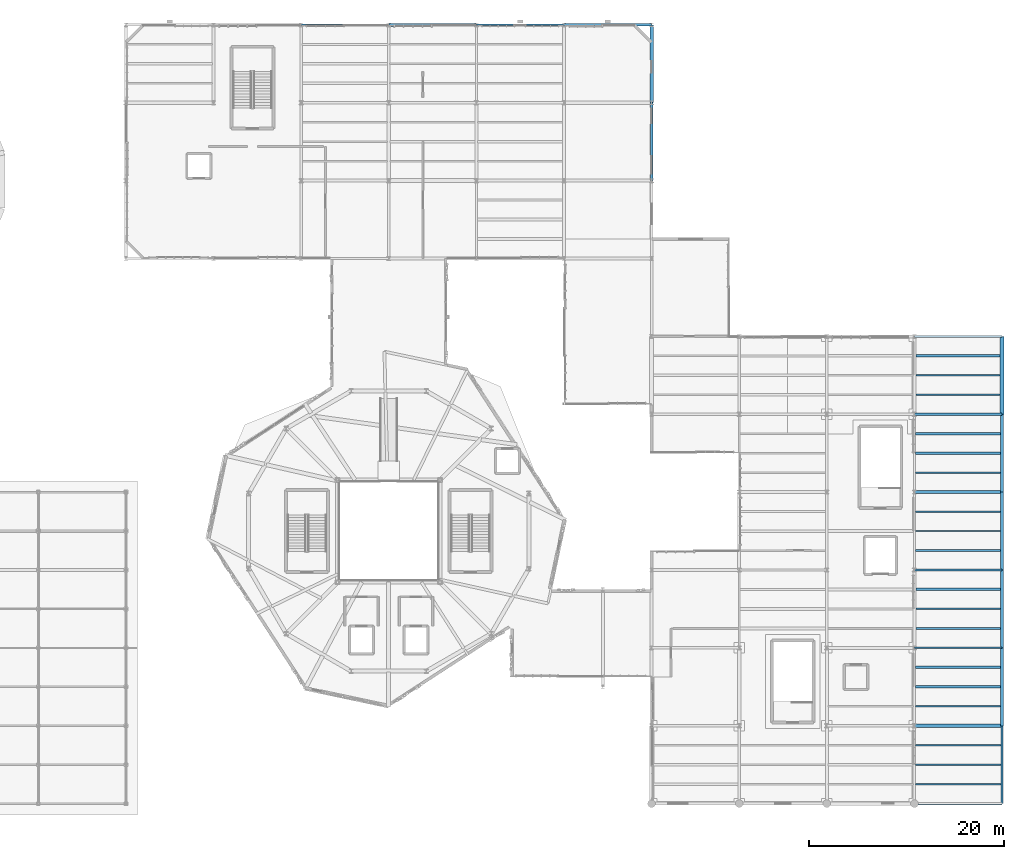
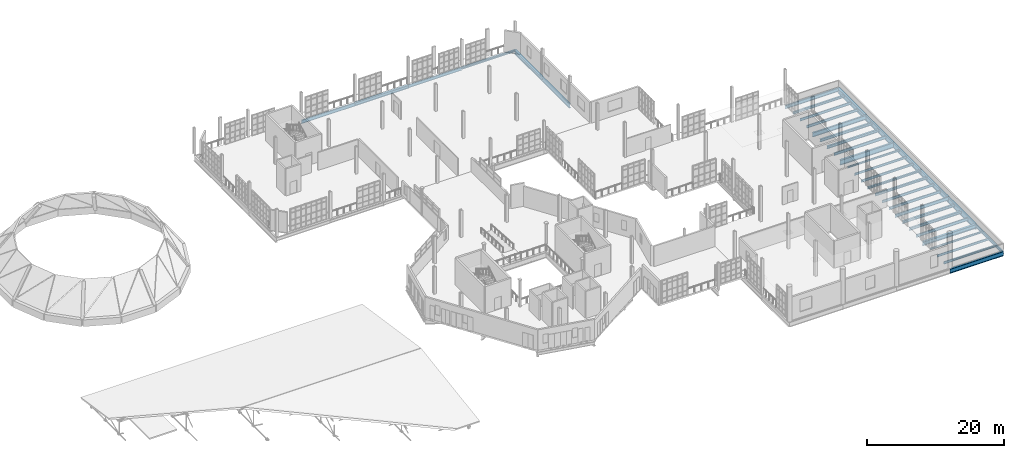
# One storey, part 70 of 118: 37 beams.
"""IFC4 building model written with IfcOpenShell, lengths in metres."""

import ifcopenshell
import ifcopenshell.guid

model = None  # the IFC model being written
_history = None  # IfcOwnerHistory: only IFC2X3 demands one
_inside = {}  # id of a spatial element -> (the spatial element, [elements in it])
_under = {}  # id of a project, library or spatial element -> (it, [spatial elements below it])
_declared = {}  # id of a project -> (the project, [libraries it declares])
_typed = {}  # id of a type object -> (the type object, [elements of that type])
_made_of = {}  # id of a material, layer set ... -> (it, [elements and type objects made of it])


def new_model(schema):
    """Start an empty IFC model of exactly this schema.

    Asked for "IFC4X3", IfcOpenShell would pick the latest addendum, in which some entities
    have other attributes; the version numbers below select the first issue.
    IFC2X3 requires an IfcOwnerHistory on every rooted entity: one is made here for all.
    """
    global model, _history
    if schema == "IFC4X3":
        model = ifcopenshell.file(schema_version=(4, 3, 0, 0))
    else:
        model = ifcopenshell.file(schema=schema)
    _inside.clear()
    _under.clear()
    _declared.clear()
    _typed.clear()
    _made_of.clear()
    _history = None
    if model.schema == "IFC2X3":
        org = make("IfcOrganization", Name="unknown")
        user = make(
            "IfcPersonAndOrganization",
            ThePerson=make("IfcPerson", FamilyName="unknown"),
            TheOrganization=org,
        )
        app = make(
            "IfcApplication",
            ApplicationDeveloper=org,
            Version="unknown",
            ApplicationFullName="unknown",
            ApplicationIdentifier="unknown",
        )
        _history = make(
            "IfcOwnerHistory",
            OwningUser=user,
            OwningApplication=app,
            ChangeAction="ADDED",
            CreationDate=0,
        )
    return model


def make(cls, **values):
    """One entity of the class cls with the attributes given. An attribute that is None is left unset."""
    return model.create_entity(
        cls, **{name: value for name, value in values.items() if value is not None}
    )


def rooted(cls, **values):
    """An entity with a GlobalId (a new one), such as an element, a storey or a relation."""
    return make(cls, GlobalId=ifcopenshell.guid.new(), OwnerHistory=_history, **values)


def si_unit(unit_type, name, prefix=None):
    """IfcSIUnit, for example si_unit("LENGTHUNIT", "METRE", prefix="MILLI")."""
    return make("IfcSIUnit", UnitType=unit_type, Prefix=prefix, Name=name)


def assignment(units):
    """IfcUnitAssignment: the units of a project."""
    return None if units is None else make("IfcUnitAssignment", Units=units)


def point(xyz):
    """IfcCartesianPoint."""
    return None if xyz is None else make("IfcCartesianPoint", Coordinates=xyz)


def direction(xyz):
    """IfcDirection."""
    return None if xyz is None else make("IfcDirection", DirectionRatios=xyz)


def frame(location, z_axis=None, x_axis=None):
    """IfcAxis2Placement3D, a coordinate frame: its origin and axes. An axis left out is left unset."""
    return make(
        "IfcAxis2Placement3D",
        Location=point(location),
        Axis=direction(z_axis),
        RefDirection=direction(x_axis),
    )


def frame_2d(location, x_axis=None):
    """IfcAxis2Placement2D, a coordinate frame in the plane: its origin and x axis."""
    return make(
        "IfcAxis2Placement2D", Location=point(location), RefDirection=direction(x_axis)
    )


def origin():
    """The frame at (0, 0, 0) with its axes left unset."""
    return frame((0.0, 0.0, 0.0))


def origin_2d():
    """The frame at (0, 0) in the plane with its x axis left unset."""
    return frame_2d((0.0, 0.0))


def place(relative_to, where):
    """IfcLocalPlacement: puts the frame where relative to a parent placement (None: the world)."""
    return make(
        "IfcLocalPlacement", PlacementRelTo=relative_to, RelativePlacement=where
    )


def context(
    kind, dimensions, precision=None, world=None, true_north=None, identifier=None
):
    """IfcGeometricRepresentationContext, for example the 3D "Model" context."""
    return make(
        "IfcGeometricRepresentationContext",
        ContextIdentifier=identifier,
        ContextType=kind,
        CoordinateSpaceDimension=dimensions,
        Precision=precision,
        WorldCoordinateSystem=world,
        TrueNorth=true_north,
    )


def subcontext(parent, identifier, kind, view, scale=None):
    """IfcGeometricRepresentationSubContext, for example "Body" below "Model"."""
    return make(
        "IfcGeometricRepresentationSubContext",
        ContextIdentifier=identifier,
        ContextType=kind,
        ParentContext=parent,
        TargetScale=scale,
        TargetView=view,
    )


def project(units=None, contexts=None):
    """IfcProject with its units and contexts."""
    return rooted(
        "IfcProject",
        Name="project",
        RepresentationContexts=contexts,
        UnitsInContext=assignment(units),
    )


def spatial(cls, under=None, at=None, **own):
    """A site, building, storey or space (cls), placed at a placement, below another one or the project."""
    s = rooted(cls, ObjectPlacement=at, **own)
    if under is not None:
        _under.setdefault(under.id(), (under, []))[1].append(s)
    return s


def profile(cls, at=None, kind="AREA", **sizes):
    """A parametric profile (cls). Its sizes go by their IFC names, for example OverallWidth=200.0."""
    return make(cls, ProfileType=kind, Position=at, **sizes)


def i_section(**sizes):
    """IfcIShapeProfileDef."""
    return profile("IfcIShapeProfileDef", **sizes)


def extrude(swept, where, along, depth):
    """IfcExtrudedAreaSolid: the profile swept, set in the frame where, extruded along a direction by depth."""
    return make(
        "IfcExtrudedAreaSolid",
        SweptArea=swept,
        Position=where,
        ExtrudedDirection=direction(along),
        Depth=depth,
    )


def shape(context_of_items, identifier, shape_type, items):
    """IfcShapeRepresentation: the items that make up one representation, for example the "Body"."""
    return make(
        "IfcShapeRepresentation",
        ContextOfItems=context_of_items,
        RepresentationIdentifier=identifier,
        RepresentationType=shape_type,
        Items=items,
    )


def material(Name=None, Category=None):
    """IfcMaterial."""
    return make("IfcMaterial", Name=Name, Category=Category)


def material_profile(
    of_material, cross_section, Name=None, Category=None, Priority=None
):
    """IfcMaterialProfile: a cross section and its material."""
    return make(
        "IfcMaterialProfile",
        Name=Name,
        Material=of_material,
        Profile=cross_section,
        Priority=Priority,
        Category=Category,
    )


def profile_set(profiles, Name=None, composite=None):
    """IfcMaterialProfileSet."""
    return make(
        "IfcMaterialProfileSet",
        Name=Name,
        MaterialProfiles=profiles,
        CompositeProfile=composite,
    )


def made_of(thing, what):
    """Note that an element or type object is made of a material, layer set ...; save() writes the relation."""
    if what is not None:
        _made_of.setdefault(what.id(), (what, []))[1].append(thing)
    return thing


def type_object(cls, material=None, **own):
    """A type object (cls), such as IfcWallType, which elements share."""
    return made_of(rooted(cls, **own), material)


def element(
    cls,
    number,
    at=None,
    inside=None,
    cuts=None,
    type_object=None,
    material=None,
    context=None,
    identifier="Body",
    shape_type=None,
    held_by="IfcProductDefinitionShape",
    body=None,
    shapes=None,
    **own,
):
    """One element of the class cls, such as IfcWall. Its Tag is "e" and its number.

    at: its placement. inside: the storey or other place that contains it. cuts: it is an
    opening in that element (IfcRelVoidsElement). A single representation is given by context,
    identifier, shape_type and body (its items); several are given by shapes. held_by: the class
    of the entity that holds the representations. save() writes the other relations.
    """
    e = rooted(cls, Tag="e%d" % number, ObjectPlacement=at, **own)
    if body is not None:
        shapes = [shape(context, identifier, shape_type, body)]
    if shapes is not None:
        e.Representation = make(held_by, Representations=shapes)
    if inside is not None:
        _inside.setdefault(inside.id(), (inside, []))[1].append(e)
    if cuts is not None:
        rooted(
            "IfcRelVoidsElement", RelatingBuildingElement=cuts, RelatedOpeningElement=e
        )
    if type_object is not None:
        _typed.setdefault(type_object.id(), (type_object, []))[1].append(e)
    return made_of(e, material)


def aggregate(whole, parts):
    """IfcRelAggregates: a whole, such as a stair, and the parts it consists of."""
    return rooted("IfcRelAggregates", RelatingObject=whole, RelatedObjects=parts)


def save(model, path):
    """Write the relations noted so far, then the file.

    IfcRelAggregates (storeys below a building ...), IfcRelContainedInSpatialStructure (elements
    in a storey), IfcRelDefinesByType, IfcRelAssociatesMaterial and IfcRelDeclares: one each for
    every whole, place, type object, material and project.
    """
    for whole, parts in _under.values():
        aggregate(whole, parts)
    for where, things in _inside.values():
        rooted(
            "IfcRelContainedInSpatialStructure",
            RelatedElements=things,
            RelatingStructure=where,
        )
    for kind, things in _typed.values():
        rooted("IfcRelDefinesByType", RelatedObjects=things, RelatingType=kind)
    for what, things in _made_of.values():
        rooted("IfcRelAssociatesMaterial", RelatedObjects=things, RelatingMaterial=what)
    for by, libraries in _declared.values():
        rooted("IfcRelDeclares", RelatingContext=by, RelatedDefinitions=libraries)
    model.write(path)


model = new_model("IFC4")

# Units and contexts
model_context = context("Model", 3, precision=1e-05, world=origin(), true_north=direction((0.0, 1.0)))
body_context = subcontext(model_context, "Body", "Model", "MODEL_VIEW")
ifc_project = project(units=[si_unit("LENGTHUNIT", "METRE"), si_unit("AREAUNIT", "SQUARE_METRE"), si_unit("VOLUMEUNIT", "CUBIC_METRE"), si_unit("PLANEANGLEUNIT", "RADIAN"), si_unit("MASSUNIT", "GRAM", prefix="KILO"), si_unit("THERMODYNAMICTEMPERATUREUNIT", "KELVIN"), si_unit("POWERUNIT", "WATT")], contexts=[model_context])

# Site, building, storey
site_placement = place(None, origin())
site = spatial("IfcSite", under=ifc_project, at=site_placement, CompositionType="ELEMENT")
building_placement = place(site_placement, origin())
building = spatial("IfcBuilding", under=site, at=building_placement, Name="Zelmaris Science Centre", CompositionType="ELEMENT")
storey_placement = place(building_placement, frame((0.0, 0.0, 15.60009765625)))
storey = spatial("IfcBuildingStorey", under=building, at=storey_placement, Name="L03", CompositionType="ELEMENT", Elevation=15.60009765625)

# Beams
ifc_material = material(Name="Steel ASTM A992 Grade 50", Category="steel")
ifc_material_profile_1 = material_profile(ifc_material, i_section(OverallWidth=0.304931640625, OverallDepth=0.9140625, WebThickness=0.0166015625, FlangeThickness=0.02587890625, FilletRadius=0.02392578125, at=origin_2d()), Name="W36X160")
ifc_profile_set_1 = profile_set([ifc_material_profile_1], Name="Steel ASTM A992 Grade 50")
beam_type_1 = type_object("IfcBeamType", Name="Beam G-04 W36X160", PredefinedType="BEAM", material=ifc_profile_set_1)
beam_1_placement = place(storey_placement, frame((135.0, 40.0, -0.717041015625), z_axis=(1.0, 0.0, 0.0), x_axis=(0.0, 1.0, 0.0)))
element("IfcBeam", 1, at=beam_1_placement, inside=storey, type_object=beam_type_1, Name="L03 East-west girder 745", PredefinedType="BEAM", context=body_context, shape_type="SweptSolid", body=[
    extrude(i_section(OverallWidth=0.304931640625, OverallDepth=0.9140625, WebThickness=0.0166015625, FlangeThickness=0.02587890625, FilletRadius=0.02392578125, at=origin_2d()), origin(), (0.0, 0.0, 1.0), 9.0),
])
ifc_material_profile_2 = material_profile(ifc_material, i_section(OverallWidth=0.26708984375, OverallDepth=0.757080078125, WebThickness=0.013916015625, FlangeThickness=0.019287109375, FilletRadius=0.01904296875, at=origin_2d()), Name="W30X108")
ifc_profile_set_2 = profile_set([ifc_material_profile_2], Name="Steel ASTM A992 Grade 50")
beam_type_2 = type_object("IfcBeamType", Name="Beam G-10 W30X108", PredefinedType="BEAM", material=ifc_profile_set_2)
beam_2_placement = place(storey_placement, frame((135.0, 48.0, -0.638671875), z_axis=(1.0, 0.0, 0.0), x_axis=(0.0, 1.0, 0.0)))
element("IfcBeam", 2, at=beam_2_placement, inside=storey, type_object=beam_type_2, Name="L03 East-west girder 749", PredefinedType="BEAM", context=body_context, shape_type="SweptSolid", body=[
    extrude(i_section(OverallWidth=0.26708984375, OverallDepth=0.757080078125, WebThickness=0.013916015625, FlangeThickness=0.019287109375, FilletRadius=0.01904296875, at=origin_2d()), origin(), (0.0, 0.0, 1.0), 9.0),
])
ifc_material_profile_3 = material_profile(ifc_material, i_section(OverallWidth=0.22900390625, OverallDepth=0.612060546875, WebThickness=0.011962890625, FlangeThickness=0.01953125, FilletRadius=0.014892578125, at=origin_2d()), Name="W24X84")
ifc_profile_set_3 = profile_set([ifc_material_profile_3], Name="Steel ASTM A992 Grade 50")
beam_type_3 = type_object("IfcBeamType", Name="Beam G-16 W24X84", PredefinedType="BEAM", material=ifc_profile_set_3)
beam_3_placement = place(storey_placement, frame((135.0, 56.0, -0.566162109375), z_axis=(1.0, 0.0, 0.0), x_axis=(0.0, 1.0, 0.0)))
element("IfcBeam", 3, at=beam_3_placement, inside=storey, type_object=beam_type_3, Name="L03 East-west girder 753", PredefinedType="BEAM", context=body_context, shape_type="SweptSolid", body=[
    extrude(i_section(OverallWidth=0.22900390625, OverallDepth=0.612060546875, WebThickness=0.011962890625, FlangeThickness=0.01953125, FilletRadius=0.014892578125, at=origin_2d()), origin(), (0.0, 0.0, 1.0), 9.0),
])
ifc_material_profile_4 = material_profile(ifc_material, i_section(OverallWidth=0.2109375, OverallDepth=0.5380859375, WebThickness=0.01171875, FlangeThickness=0.018798828125, FilletRadius=0.013916015625, at=origin_2d()), Name="W21X73")
ifc_profile_set_4 = profile_set([ifc_material_profile_4], Name="Steel ASTM A992 Grade 50")
beam_type_4 = type_object("IfcBeamType", Name="Beam G-19 W21X73", PredefinedType="BEAM", material=ifc_profile_set_4)
beam_4_placement = place(storey_placement, frame((144.0, 8.0, -0.529052734375), z_axis=(0.0, 1.0, 0.0), x_axis=(-1.0, 0.0, 0.0)))
element("IfcBeam", 4, at=beam_4_placement, inside=storey, type_object=beam_type_4, Name="L03 North-south girder 725", PredefinedType="BEAM", context=body_context, shape_type="SweptSolid", body=[
    extrude(i_section(OverallWidth=0.2109375, OverallDepth=0.5380859375, WebThickness=0.01171875, FlangeThickness=0.018798828125, FilletRadius=0.013916015625, at=origin_2d()), origin(), (0.0, 0.0, 1.0), 8.0),
])
ifc_material_profile_5 = material_profile(ifc_material, i_section(OverallWidth=0.300048828125, OverallDepth=0.990966796875, WebThickness=0.0166015625, FlangeThickness=0.030517578125, FilletRadius=0.02490234375, at=origin_2d()), Name="W40X183")
ifc_profile_set_5 = profile_set([ifc_material_profile_5], Name="Steel ASTM A992 Grade 50")
beam_type_5 = type_object("IfcBeamType", Name="Beam G-24 W40X183", PredefinedType="BEAM", material=ifc_profile_set_5)
beam_5_placement = place(storey_placement, frame((144.0, 16.0, -0.755615234375), z_axis=(0.0, 1.0, 0.0), x_axis=(-1.0, 0.0, 0.0)))
element("IfcBeam", 5, at=beam_5_placement, inside=storey, type_object=beam_type_5, Name="L03 North-south girder 726", PredefinedType="BEAM", context=body_context, shape_type="SweptSolid", body=[
    extrude(i_section(OverallWidth=0.300048828125, OverallDepth=0.990966796875, WebThickness=0.0166015625, FlangeThickness=0.030517578125, FilletRadius=0.02490234375, at=origin_2d()), origin(), (0.0, 0.0, 1.0), 8.0),
])
ifc_material_profile_6 = material_profile(ifc_material, i_section(OverallWidth=0.31005859375, OverallDepth=0.931884765625, WebThickness=0.02099609375, FlangeThickness=0.034423828125, FilletRadius=0.02392578125, at=origin_2d()), Name="W36X210")
ifc_profile_set_6 = profile_set([ifc_material_profile_6], Name="Steel ASTM A992 Grade 50")
beam_type_6 = type_object("IfcBeamType", Name="Beam G-25 W36X210", PredefinedType="BEAM", material=ifc_profile_set_6)
beam_6_placement = place(storey_placement, frame((144.0, 24.0, -0.72607421875), z_axis=(0.0, 1.0, 0.0), x_axis=(-1.0, 0.0, 0.0)))
element("IfcBeam", 6, at=beam_6_placement, inside=storey, type_object=beam_type_6, Name="L03 North-south girder 727", PredefinedType="BEAM", context=body_context, shape_type="SweptSolid", body=[
    extrude(i_section(OverallWidth=0.31005859375, OverallDepth=0.931884765625, WebThickness=0.02099609375, FlangeThickness=0.034423828125, FilletRadius=0.02392578125, at=origin_2d()), origin(), (0.0, 0.0, 1.0), 8.0),
])
ifc_material_profile_7 = material_profile(ifc_material, i_section(OverallWidth=0.304931640625, OverallDepth=0.9189453125, WebThickness=0.017333984375, FlangeThickness=0.02783203125, FilletRadius=0.02392578125, at=origin_2d()), Name="W36X170")
ifc_profile_set_7 = profile_set([ifc_material_profile_7], Name="Steel ASTM A992 Grade 50")
beam_type_7 = type_object("IfcBeamType", Name="Beam G-26 W36X170", PredefinedType="BEAM", material=ifc_profile_set_7)
beam_7_placement = place(storey_placement, frame((144.0, 32.0, -0.719482421875), z_axis=(0.0, 1.0, 0.0), x_axis=(-1.0, 0.0, 0.0)))
element("IfcBeam", 7, at=beam_7_placement, inside=storey, type_object=beam_type_7, Name="L03 North-south girder 728", PredefinedType="BEAM", context=body_context, shape_type="SweptSolid", body=[
    extrude(i_section(OverallWidth=0.304931640625, OverallDepth=0.9189453125, WebThickness=0.017333984375, FlangeThickness=0.02783203125, FilletRadius=0.02392578125, at=origin_2d()), origin(), (0.0, 0.0, 1.0), 8.0),
])
ifc_material_profile_8 = material_profile(ifc_material, i_section(OverallWidth=0.304931640625, OverallDepth=0.912109375, WebThickness=0.015869140625, FlangeThickness=0.02392578125, FilletRadius=0.02392578125, at=origin_2d()), Name="W36X150")
ifc_profile_set_8 = profile_set([ifc_material_profile_8], Name="Steel ASTM A992 Grade 50")
beam_type_8 = type_object("IfcBeamType", Name="Beam G-27 W36X150", PredefinedType="BEAM", material=ifc_profile_set_8)
beam_8_placement = place(storey_placement, frame((144.0, 40.0, -0.716064453125), z_axis=(0.0, 1.0, 0.0), x_axis=(-1.0, 0.0, 0.0)))
element("IfcBeam", 8, at=beam_8_placement, inside=storey, type_object=beam_type_8, Name="L03 North-south girder 729", PredefinedType="BEAM", context=body_context, shape_type="SweptSolid", body=[
    extrude(i_section(OverallWidth=0.304931640625, OverallDepth=0.912109375, WebThickness=0.015869140625, FlangeThickness=0.02392578125, FilletRadius=0.02392578125, at=origin_2d()), origin(), (0.0, 0.0, 1.0), 8.0),
])
ifc_material_profile_9 = material_profile(ifc_material, i_section(OverallWidth=0.404052734375, OverallDepth=0.861083984375, WebThickness=0.019775390625, FlangeThickness=0.032470703125, FilletRadius=0.02001953125, at=origin_2d()), Name="W33X221")
ifc_profile_set_9 = profile_set([ifc_material_profile_9], Name="Steel ASTM A992 Grade 50")
beam_type_9 = type_object("IfcBeamType", Name="Beam G-28 W33X221", PredefinedType="BEAM", material=ifc_profile_set_9)
beam_9_placement = place(storey_placement, frame((144.0, 48.0, -0.690673828125), z_axis=(0.0, 1.0, 0.0), x_axis=(-1.0, 0.0, 0.0)))
element("IfcBeam", 9, at=beam_9_placement, inside=storey, type_object=beam_type_9, Name="L03 North-south girder 730", PredefinedType="BEAM", context=body_context, shape_type="SweptSolid", body=[
    extrude(i_section(OverallWidth=0.404052734375, OverallDepth=0.861083984375, WebThickness=0.019775390625, FlangeThickness=0.032470703125, FilletRadius=0.02001953125, at=origin_2d()), origin(), (0.0, 0.0, 1.0), 8.0),
])
ifc_material_profile_10 = material_profile(ifc_material, i_section(OverallWidth=0.26708984375, OverallDepth=0.780029296875, WebThickness=0.0166015625, FlangeThickness=0.030029296875, FilletRadius=0.01904296875, at=origin_2d()), Name="W30X148")
ifc_profile_set_10 = profile_set([ifc_material_profile_10], Name="Steel ASTM A992 Grade 50")
beam_type_10 = type_object("IfcBeamType", Name="Beam G-32 W30X148", PredefinedType="BEAM", material=ifc_profile_set_10)
beam_10_placement = place(storey_placement, frame((135.0, 8.0, -0.650146484375), z_axis=(1.0, 0.0, 0.0), x_axis=(0.0, 1.0, 0.0)))
element("IfcBeam", 10, at=beam_10_placement, inside=storey, type_object=beam_type_10, Name="L03 East-west girder 734", PredefinedType="BEAM", context=body_context, shape_type="SweptSolid", body=[
    extrude(i_section(OverallWidth=0.26708984375, OverallDepth=0.780029296875, WebThickness=0.0166015625, FlangeThickness=0.030029296875, FilletRadius=0.01904296875, at=origin_2d()), origin(), (0.0, 0.0, 1.0), 9.0),
])
ifc_material_profile_11 = material_profile(ifc_material, i_section(OverallWidth=0.26708984375, OverallDepth=0.75390625, WebThickness=0.01318359375, FlangeThickness=0.01708984375, FilletRadius=0.01904296875, at=origin_2d()), Name="W30X99")
ifc_profile_set_11 = profile_set([ifc_material_profile_11], Name="Steel ASTM A992 Grade 50")
beam_type_11 = type_object("IfcBeamType", Name="Beam G-34 W30X99", PredefinedType="BEAM", material=ifc_profile_set_11)
beam_11_placement = place(storey_placement, frame((108.0, 72.0, -0.63720703125), z_axis=(0.0, 1.0, 0.0), x_axis=(-1.0, 0.0, 0.0)))
element("IfcBeam", 11, at=beam_11_placement, inside=storey, type_object=beam_type_11, Name="L03 North-south girder 705", PredefinedType="BEAM", context=body_context, shape_type="SweptSolid", body=[
    extrude(i_section(OverallWidth=0.26708984375, OverallDepth=0.75390625, WebThickness=0.01318359375, FlangeThickness=0.01708984375, FilletRadius=0.01904296875, at=origin_2d()), origin(), (0.0, 0.0, 1.0), 8.0),
])
ifc_material_profile_12 = material_profile(ifc_material, i_section(OverallWidth=0.35595703125, OverallDepth=0.700927734375, WebThickness=0.016845703125, FlangeThickness=0.02734375, FilletRadius=0.01806640625, at=origin_2d()), Name="W27X161")
ifc_profile_set_12 = profile_set([ifc_material_profile_12], Name="Steel ASTM A992 Grade 50")
beam_type_12 = type_object("IfcBeamType", Name="Beam G-35 W27X161", PredefinedType="BEAM", material=ifc_profile_set_12)
beam_12_placement = place(storey_placement, frame((108.0, 80.0, -0.610595703125), z_axis=(0.0, 1.0, 0.0), x_axis=(-1.0, 0.0, 0.0)))
element("IfcBeam", 12, at=beam_12_placement, inside=storey, type_object=beam_type_12, Name="L03 North-south girder 706", PredefinedType="BEAM", context=body_context, shape_type="SweptSolid", body=[
    extrude(i_section(OverallWidth=0.35595703125, OverallDepth=0.700927734375, WebThickness=0.016845703125, FlangeThickness=0.02734375, FilletRadius=0.01806640625, at=origin_2d()), origin(), (0.0, 0.0, 1.0), 8.0),
])
beam_13_placement = place(storey_placement, frame((135.0, 16.0, -0.610595703125), z_axis=(1.0, 0.0, 0.0), x_axis=(0.0, 1.0, 0.0)))
element("IfcBeam", 13, at=beam_13_placement, inside=storey, type_object=beam_type_12, Name="L03 East-west girder 737", PredefinedType="BEAM", context=body_context, shape_type="SweptSolid", body=[
    extrude(i_section(OverallWidth=0.35595703125, OverallDepth=0.700927734375, WebThickness=0.016845703125, FlangeThickness=0.02734375, FilletRadius=0.01806640625, at=origin_2d()), origin(), (0.0, 0.0, 1.0), 9.0),
])
ifc_material_profile_13 = material_profile(ifc_material, i_section(OverallWidth=0.177978515625, OverallDepth=0.59912109375, WebThickness=0.010009765625, FlangeThickness=0.0126953125, FilletRadius=0.014892578125, at=origin_2d()), Name="W24X55")
ifc_profile_set_13 = profile_set([ifc_material_profile_13], Name="Steel ASTM A992 Grade 50")
beam_type_13 = type_object("IfcBeamType", Name="Beam G-38 W24X55", PredefinedType="BEAM", material=ifc_profile_set_13)
for number, where, z_axis, x_axis, name in (
    (14, (135.0, 24.0, -0.5595703125), (1.0, 0.0, 0.0), (0.0, 1.0, 0.0), "L03 East-west girder 740"),
    (15, (72.0, 88.0, -0.5595703125), (1.0, 0.0, 0.0), (0.0, 1.0, 0.0), "L03 East-west girder 771"),
):
    element("IfcBeam", number, at=place(storey_placement, frame(where, z_axis=z_axis, x_axis=x_axis)), inside=storey, type_object=beam_type_13, Name=name, PredefinedType="BEAM", context=body_context, shape_type="SweptSolid", body=[
        extrude(i_section(OverallWidth=0.177978515625, OverallDepth=0.59912109375, WebThickness=0.010009765625, FlangeThickness=0.0126953125, FilletRadius=0.014892578125, at=origin_2d()), origin(), (0.0, 0.0, 1.0), 9.0),
    ])
ifc_material_profile_14 = material_profile(ifc_material, i_section(OverallWidth=0.31201171875, OverallDepth=0.5458984375, WebThickness=0.013916015625, FlangeThickness=0.022216796875, FilletRadius=0.013916015625, at=origin_2d()), Name="W21X111")
ifc_profile_set_14 = profile_set([ifc_material_profile_14], Name="Steel ASTM A992 Grade 50")
beam_type_14 = type_object("IfcBeamType", Name="Beam G-39 W21X111", PredefinedType="BEAM", material=ifc_profile_set_14)
beam_14_placement = place(storey_placement, frame((81.0, 88.0, -0.533203125), z_axis=(1.0, 0.0, 0.0), x_axis=(0.0, 1.0, 0.0)))
element("IfcBeam", 16, at=beam_14_placement, inside=storey, type_object=beam_type_14, Name="L03 East-west girder 772", PredefinedType="BEAM", context=body_context, shape_type="SweptSolid", body=[
    extrude(i_section(OverallWidth=0.31201171875, OverallDepth=0.5458984375, WebThickness=0.013916015625, FlangeThickness=0.022216796875, FilletRadius=0.013916015625, at=origin_2d()), origin(), (0.0, 0.0, 1.0), 9.0),
])
ifc_material_profile_15 = material_profile(ifc_material, i_section(OverallWidth=0.1650390625, OverallDepth=0.52587890625, WebThickness=0.0087890625, FlangeThickness=0.011474609375, FilletRadius=0.013916015625, at=origin_2d()), Name="W21X44")
ifc_profile_set_15 = profile_set([ifc_material_profile_15], Name="Steel ASTM A992 Grade 50")
beam_type_15 = type_object("IfcBeamType", Name="Beam G-40 W21X44", PredefinedType="BEAM", material=ifc_profile_set_15)
beam_15_placement = place(storey_placement, frame((90.0, 88.0, -0.523193359375), z_axis=(1.0, 0.0, 0.0), x_axis=(0.0, 1.0, 0.0)))
element("IfcBeam", 17, at=beam_15_placement, inside=storey, type_object=beam_type_15, Name="L03 East-west girder 773", PredefinedType="BEAM", context=body_context, shape_type="SweptSolid", body=[
    extrude(i_section(OverallWidth=0.1650390625, OverallDepth=0.52587890625, WebThickness=0.0087890625, FlangeThickness=0.011474609375, FilletRadius=0.013916015625, at=origin_2d()), origin(), (0.0, 0.0, 1.0), 9.0),
])
ifc_material_profile_16 = material_profile(ifc_material, i_section(OverallWidth=0.25390625, OverallDepth=0.35595703125, WebThickness=0.010498046875, FlangeThickness=0.018310546875, FilletRadius=0.014892578125, at=origin_2d()), Name="W14X68")
ifc_profile_set_16 = profile_set([ifc_material_profile_16], Name="Steel ASTM A992 Grade 50")
beam_type_16 = type_object("IfcBeamType", Name="Beam G-41 W14X68", PredefinedType="BEAM", material=ifc_profile_set_16)
for number, where, z_axis, x_axis, name in (
    (18, (135.0, 32.0, -0.43798828125), (1.0, 0.0, 0.0), (0.0, 1.0, 0.0), "L03 East-west girder 743"),
    (19, (99.0, 88.0, -0.43798828125), (1.0, 0.0, 0.0), (0.0, 1.0, 0.0), "L03 East-west girder 774"),
):
    element("IfcBeam", number, at=place(storey_placement, frame(where, z_axis=z_axis, x_axis=x_axis)), inside=storey, type_object=beam_type_16, Name=name, PredefinedType="BEAM", context=body_context, shape_type="SweptSolid", body=[
        extrude(i_section(OverallWidth=0.25390625, OverallDepth=0.35595703125, WebThickness=0.010498046875, FlangeThickness=0.018310546875, FilletRadius=0.014892578125, at=origin_2d()), origin(), (0.0, 0.0, 1.0), 9.0),
    ])
ifc_material_profile_17 = material_profile(ifc_material, i_section(OverallWidth=0.16796875, OverallDepth=0.532958984375, WebThickness=0.01025390625, FlangeThickness=0.0166015625, FilletRadius=0.013916015625, at=origin_2d()), Name="W21X57")
ifc_profile_set_17 = profile_set([ifc_material_profile_17], Name="Steel ASTM A992 Grade 50")
beam_type_17 = type_object("IfcBeamType", Name="Beam J-01 W21X57", PredefinedType="JOIST", material=ifc_profile_set_17)
beam_16_placement = place(storey_placement, frame((135.112060546875, 18.0, -0.526611328125), z_axis=(1.0, 0.0, 0.0), x_axis=(0.0, 1.0, 0.0)))
element("IfcBeam", 20, at=beam_16_placement, inside=storey, type_object=beam_type_17, Name="L03 Composite floor joist 378", PredefinedType="JOIST", context=body_context, shape_type="SweptSolid", body=[
    extrude(i_section(OverallWidth=0.16796875, OverallDepth=0.532958984375, WebThickness=0.01025390625, FlangeThickness=0.0166015625, FilletRadius=0.013916015625, at=origin_2d()), origin(), (0.0, 0.0, 1.0), 8.7529296875),
])
beam_17_placement = place(storey_placement, frame((135.099609375, 42.0, -0.526611328125), z_axis=(1.0, 0.0, 0.0), x_axis=(0.0, 1.0, 0.0)))
element("IfcBeam", 21, at=beam_17_placement, inside=storey, type_object=beam_type_17, Name="L03 Composite floor joist 387", PredefinedType="JOIST", context=body_context, shape_type="SweptSolid", body=[
    extrude(i_section(OverallWidth=0.16796875, OverallDepth=0.532958984375, WebThickness=0.01025390625, FlangeThickness=0.0166015625, FilletRadius=0.013916015625, at=origin_2d()), origin(), (0.0, 0.0, 1.0), 8.762939453125),
])
ifc_material_profile_18 = material_profile(ifc_material, i_section(OverallWidth=0.281982421875, OverallDepth=0.471923828125, WebThickness=0.013671875, FlangeThickness=0.022216796875, FilletRadius=0.012939453125, at=origin_2d()), Name="W18X97")
ifc_profile_set_18 = profile_set([ifc_material_profile_18], Name="Steel ASTM A992 Grade 50")
beam_type_18 = type_object("IfcBeamType", Name="Beam J-02 W18X97", PredefinedType="JOIST", material=ifc_profile_set_18)
beam_18_placement = place(storey_placement, frame((135.112060546875, 20.0, -0.49609375), z_axis=(1.0, 0.0, 0.0), x_axis=(0.0, 1.0, 0.0)))
element("IfcBeam", 22, at=beam_18_placement, inside=storey, type_object=beam_type_18, Name="L03 Composite floor joist 379", PredefinedType="JOIST", context=body_context, shape_type="SweptSolid", body=[
    extrude(i_section(OverallWidth=0.281982421875, OverallDepth=0.471923828125, WebThickness=0.013671875, FlangeThickness=0.022216796875, FilletRadius=0.012939453125, at=origin_2d()), origin(), (0.0, 0.0, 1.0), 8.7529296875),
])
beam_19_placement = place(storey_placement, frame((135.099609375, 44.0, -0.49609375), z_axis=(1.0, 0.0, 0.0), x_axis=(0.0, 1.0, 0.0)))
element("IfcBeam", 23, at=beam_19_placement, inside=storey, type_object=beam_type_18, Name="L03 Composite floor joist 388", PredefinedType="JOIST", context=body_context, shape_type="SweptSolid", body=[
    extrude(i_section(OverallWidth=0.281982421875, OverallDepth=0.471923828125, WebThickness=0.013671875, FlangeThickness=0.022216796875, FilletRadius=0.012939453125, at=origin_2d()), origin(), (0.0, 0.0, 1.0), 8.762939453125),
])
ifc_material_profile_19 = material_profile(ifc_material, i_section(OverallWidth=0.279052734375, OverallDepth=0.4619140625, WebThickness=0.0107421875, FlangeThickness=0.017333984375, FilletRadius=0.012939453125, at=origin_2d()), Name="W18X76")
ifc_profile_set_19 = profile_set([ifc_material_profile_19], Name="Steel ASTM A992 Grade 50")
beam_type_19 = type_object("IfcBeamType", Name="Beam J-03 W18X76", PredefinedType="JOIST", material=ifc_profile_set_19)
beam_20_placement = place(storey_placement, frame((135.112060546875, 22.0, -0.4912109375), z_axis=(1.0, 0.0, 0.0), x_axis=(0.0, 1.0, 0.0)))
element("IfcBeam", 24, at=beam_20_placement, inside=storey, type_object=beam_type_19, Name="L03 Composite floor joist 380", PredefinedType="JOIST", context=body_context, shape_type="SweptSolid", body=[
    extrude(i_section(OverallWidth=0.279052734375, OverallDepth=0.4619140625, WebThickness=0.0107421875, FlangeThickness=0.017333984375, FilletRadius=0.012939453125, at=origin_2d()), origin(), (0.0, 0.0, 1.0), 8.7529296875),
])
beam_21_placement = place(storey_placement, frame((135.099609375, 46.0, -0.4912109375), z_axis=(1.0, 0.0, 0.0), x_axis=(0.0, 1.0, 0.0)))
element("IfcBeam", 25, at=beam_21_placement, inside=storey, type_object=beam_type_19, Name="L03 Composite floor joist 389", PredefinedType="JOIST", context=body_context, shape_type="SweptSolid", body=[
    extrude(i_section(OverallWidth=0.279052734375, OverallDepth=0.4619140625, WebThickness=0.0107421875, FlangeThickness=0.017333984375, FilletRadius=0.012939453125, at=origin_2d()), origin(), (0.0, 0.0, 1.0), 8.762939453125),
])
ifc_material_profile_20 = material_profile(ifc_material, i_section(OverallWidth=0.19091796875, OverallDepth=0.4599609375, WebThickness=0.010009765625, FlangeThickness=0.01611328125, FilletRadius=0.012939453125, at=origin_2d()), Name="W18X55")
ifc_profile_set_20 = profile_set([ifc_material_profile_20], Name="Steel ASTM A992 Grade 50")
beam_type_20 = type_object("IfcBeamType", Name="Beam J-04 W18X55", PredefinedType="JOIST", material=ifc_profile_set_20)
beam_22_placement = place(storey_placement, frame((135.1474609375, 26.0, -0.489990234375), z_axis=(1.0, 0.0, 0.0), x_axis=(0.0, 1.0, 0.0)))
element("IfcBeam", 26, at=beam_22_placement, inside=storey, type_object=beam_type_20, Name="L03 Composite floor joist 381", PredefinedType="JOIST", context=body_context, shape_type="SweptSolid", body=[
    extrude(i_section(OverallWidth=0.19091796875, OverallDepth=0.4599609375, WebThickness=0.010009765625, FlangeThickness=0.01611328125, FilletRadius=0.012939453125, at=origin_2d()), origin(), (0.0, 0.0, 1.0), 8.712646484375),
])
beam_23_placement = place(storey_placement, frame((135.14111328125, 50.0, -0.489990234375), z_axis=(1.0, 0.0, 0.0), x_axis=(0.0, 1.0, 0.0)))
element("IfcBeam", 27, at=beam_23_placement, inside=storey, type_object=beam_type_20, Name="L03 Composite floor joist 390", PredefinedType="JOIST", context=body_context, shape_type="SweptSolid", body=[
    extrude(i_section(OverallWidth=0.19091796875, OverallDepth=0.4599609375, WebThickness=0.010009765625, FlangeThickness=0.01611328125, FilletRadius=0.012939453125, at=origin_2d()), origin(), (0.0, 0.0, 1.0), 8.671875),
])
ifc_material_profile_21 = material_profile(ifc_material, i_section(OverallWidth=0.152099609375, OverallDepth=0.455078125, WebThickness=0.008056640625, FlangeThickness=0.01318359375, FilletRadius=0.012939453125, at=origin_2d()), Name="W18X40")
ifc_profile_set_21 = profile_set([ifc_material_profile_21], Name="Steel ASTM A992 Grade 50")
beam_type_21 = type_object("IfcBeamType", Name="Beam J-05 W18X40", PredefinedType="JOIST", material=ifc_profile_set_21)
beam_24_placement = place(storey_placement, frame((135.1474609375, 28.0, -0.487548828125), z_axis=(1.0, 0.0, 0.0), x_axis=(0.0, 1.0, 0.0)))
element("IfcBeam", 28, at=beam_24_placement, inside=storey, type_object=beam_type_21, Name="L03 Composite floor joist 382", PredefinedType="JOIST", context=body_context, shape_type="SweptSolid", body=[
    extrude(i_section(OverallWidth=0.152099609375, OverallDepth=0.455078125, WebThickness=0.008056640625, FlangeThickness=0.01318359375, FilletRadius=0.012939453125, at=origin_2d()), origin(), (0.0, 0.0, 1.0), 8.712646484375),
])
beam_25_placement = place(storey_placement, frame((135.14111328125, 52.0, -0.487548828125), z_axis=(1.0, 0.0, 0.0), x_axis=(0.0, 1.0, 0.0)))
element("IfcBeam", 29, at=beam_25_placement, inside=storey, type_object=beam_type_21, Name="L03 Composite floor joist 391", PredefinedType="JOIST", context=body_context, shape_type="SweptSolid", body=[
    extrude(i_section(OverallWidth=0.152099609375, OverallDepth=0.455078125, WebThickness=0.008056640625, FlangeThickness=0.01318359375, FilletRadius=0.012939453125, at=origin_2d()), origin(), (0.0, 0.0, 1.0), 8.671875),
])
ifc_material_profile_22 = material_profile(ifc_material, i_section(OverallWidth=0.260009765625, OverallDepth=0.4140625, WebThickness=0.010009765625, FlangeThickness=0.016845703125, FilletRadius=0.011962890625, at=origin_2d()), Name="W16X67")
ifc_profile_set_22 = profile_set([ifc_material_profile_22], Name="Steel ASTM A992 Grade 50")
beam_type_22 = type_object("IfcBeamType", Name="Beam J-06 W16X67", PredefinedType="JOIST", material=ifc_profile_set_22)
beam_26_placement = place(storey_placement, frame((135.1474609375, 30.0, -0.467041015625), z_axis=(1.0, 0.0, 0.0), x_axis=(0.0, 1.0, 0.0)))
element("IfcBeam", 30, at=beam_26_placement, inside=storey, type_object=beam_type_22, Name="L03 Composite floor joist 383", PredefinedType="JOIST", context=body_context, shape_type="SweptSolid", body=[
    extrude(i_section(OverallWidth=0.260009765625, OverallDepth=0.4140625, WebThickness=0.010009765625, FlangeThickness=0.016845703125, FilletRadius=0.011962890625, at=origin_2d()), origin(), (0.0, 0.0, 1.0), 8.712646484375),
])
beam_27_placement = place(storey_placement, frame((135.14111328125, 54.0, -0.467041015625), z_axis=(1.0, 0.0, 0.0), x_axis=(0.0, 1.0, 0.0)))
element("IfcBeam", 31, at=beam_27_placement, inside=storey, type_object=beam_type_22, Name="L03 Composite floor joist 392", PredefinedType="JOIST", context=body_context, shape_type="SweptSolid", body=[
    extrude(i_section(OverallWidth=0.260009765625, OverallDepth=0.4140625, WebThickness=0.010009765625, FlangeThickness=0.016845703125, FilletRadius=0.011962890625, at=origin_2d()), origin(), (0.0, 0.0, 1.0), 8.671875),
])
ifc_material_profile_23 = material_profile(ifc_material, i_section(OverallWidth=0.177978515625, OverallDepth=0.408935546875, WebThickness=0.0087890625, FlangeThickness=0.014404296875, FilletRadius=0.011962890625, at=origin_2d()), Name="W16X45")
ifc_profile_set_23 = profile_set([ifc_material_profile_23], Name="Steel ASTM A992 Grade 50")
beam_type_23 = type_object("IfcBeamType", Name="Beam J-07 W16X45", PredefinedType="JOIST", material=ifc_profile_set_23)
beam_28_placement = place(storey_placement, frame((135.113525390625, 10.0, -0.464599609375), z_axis=(1.0, 0.0, 0.0), x_axis=(0.0, 1.0, 0.0)))
element("IfcBeam", 32, at=beam_28_placement, inside=storey, type_object=beam_type_23, Name="L03 Composite floor joist 375", PredefinedType="JOIST", context=body_context, shape_type="SweptSolid", body=[
    extrude(i_section(OverallWidth=0.177978515625, OverallDepth=0.408935546875, WebThickness=0.0087890625, FlangeThickness=0.014404296875, FilletRadius=0.011962890625, at=origin_2d()), origin(), (0.0, 0.0, 1.0), 8.7958984375),
])
beam_29_placement = place(storey_placement, frame((135.099609375, 34.0, -0.464599609375), z_axis=(1.0, 0.0, 0.0), x_axis=(0.0, 1.0, 0.0)))
element("IfcBeam", 33, at=beam_29_placement, inside=storey, type_object=beam_type_23, Name="L03 Composite floor joist 384", PredefinedType="JOIST", context=body_context, shape_type="SweptSolid", body=[
    extrude(i_section(OverallWidth=0.177978515625, OverallDepth=0.408935546875, WebThickness=0.0087890625, FlangeThickness=0.014404296875, FilletRadius=0.011962890625, at=origin_2d()), origin(), (0.0, 0.0, 1.0), 8.762939453125),
])
ifc_material_profile_24 = material_profile(ifc_material, i_section(OverallWidth=0.139892578125, OverallDepth=0.404052734375, WebThickness=0.007080078125, FlangeThickness=0.01123046875, FilletRadius=0.011962890625, at=origin_2d()), Name="W16X31")
ifc_profile_set_24 = profile_set([ifc_material_profile_24], Name="Steel ASTM A992 Grade 50")
beam_type_24 = type_object("IfcBeamType", Name="Beam J-08 W16X31", PredefinedType="JOIST", material=ifc_profile_set_24)
beam_30_placement = place(storey_placement, frame((135.113525390625, 12.0, -0.462158203125), z_axis=(1.0, 0.0, 0.0), x_axis=(0.0, 1.0, 0.0)))
element("IfcBeam", 34, at=beam_30_placement, inside=storey, type_object=beam_type_24, Name="L03 Composite floor joist 376", PredefinedType="JOIST", context=body_context, shape_type="SweptSolid", body=[
    extrude(i_section(OverallWidth=0.139892578125, OverallDepth=0.404052734375, WebThickness=0.007080078125, FlangeThickness=0.01123046875, FilletRadius=0.011962890625, at=origin_2d()), origin(), (0.0, 0.0, 1.0), 8.7958984375),
])
beam_31_placement = place(storey_placement, frame((135.099609375, 36.0, -0.462158203125), z_axis=(1.0, 0.0, 0.0), x_axis=(0.0, 1.0, 0.0)))
element("IfcBeam", 35, at=beam_31_placement, inside=storey, type_object=beam_type_24, Name="L03 Composite floor joist 385", PredefinedType="JOIST", context=body_context, shape_type="SweptSolid", body=[
    extrude(i_section(OverallWidth=0.139892578125, OverallDepth=0.404052734375, WebThickness=0.007080078125, FlangeThickness=0.01123046875, FilletRadius=0.011962890625, at=origin_2d()), origin(), (0.0, 0.0, 1.0), 8.762939453125),
])
ifc_material_profile_25 = material_profile(ifc_material, i_section(OverallWidth=0.1669921875, OverallDepth=0.318115234375, WebThickness=0.007568359375, FlangeThickness=0.01318359375, FilletRadius=0.011962890625, at=origin_2d()), Name="W12X35")
ifc_profile_set_25 = profile_set([ifc_material_profile_25], Name="Steel ASTM A992 Grade 50")
beam_type_25 = type_object("IfcBeamType", Name="Beam J-09 W12X35", PredefinedType="JOIST", material=ifc_profile_set_25)
beam_32_placement = place(storey_placement, frame((135.113525390625, 14.0, -0.419189453125), z_axis=(1.0, 0.0, 0.0), x_axis=(0.0, 1.0, 0.0)))
element("IfcBeam", 36, at=beam_32_placement, inside=storey, type_object=beam_type_25, Name="L03 Composite floor joist 377", PredefinedType="JOIST", context=body_context, shape_type="SweptSolid", body=[
    extrude(i_section(OverallWidth=0.1669921875, OverallDepth=0.318115234375, WebThickness=0.007568359375, FlangeThickness=0.01318359375, FilletRadius=0.011962890625, at=origin_2d()), origin(), (0.0, 0.0, 1.0), 8.7958984375),
])
beam_33_placement = place(storey_placement, frame((135.099609375, 38.0, -0.419189453125), z_axis=(1.0, 0.0, 0.0), x_axis=(0.0, 1.0, 0.0)))
element("IfcBeam", 37, at=beam_33_placement, inside=storey, type_object=beam_type_25, Name="L03 Composite floor joist 386", PredefinedType="JOIST", context=body_context, shape_type="SweptSolid", body=[
    extrude(i_section(OverallWidth=0.1669921875, OverallDepth=0.318115234375, WebThickness=0.007568359375, FlangeThickness=0.01318359375, FilletRadius=0.011962890625, at=origin_2d()), origin(), (0.0, 0.0, 1.0), 8.762939453125),
])

save(model, "model.ifc")
